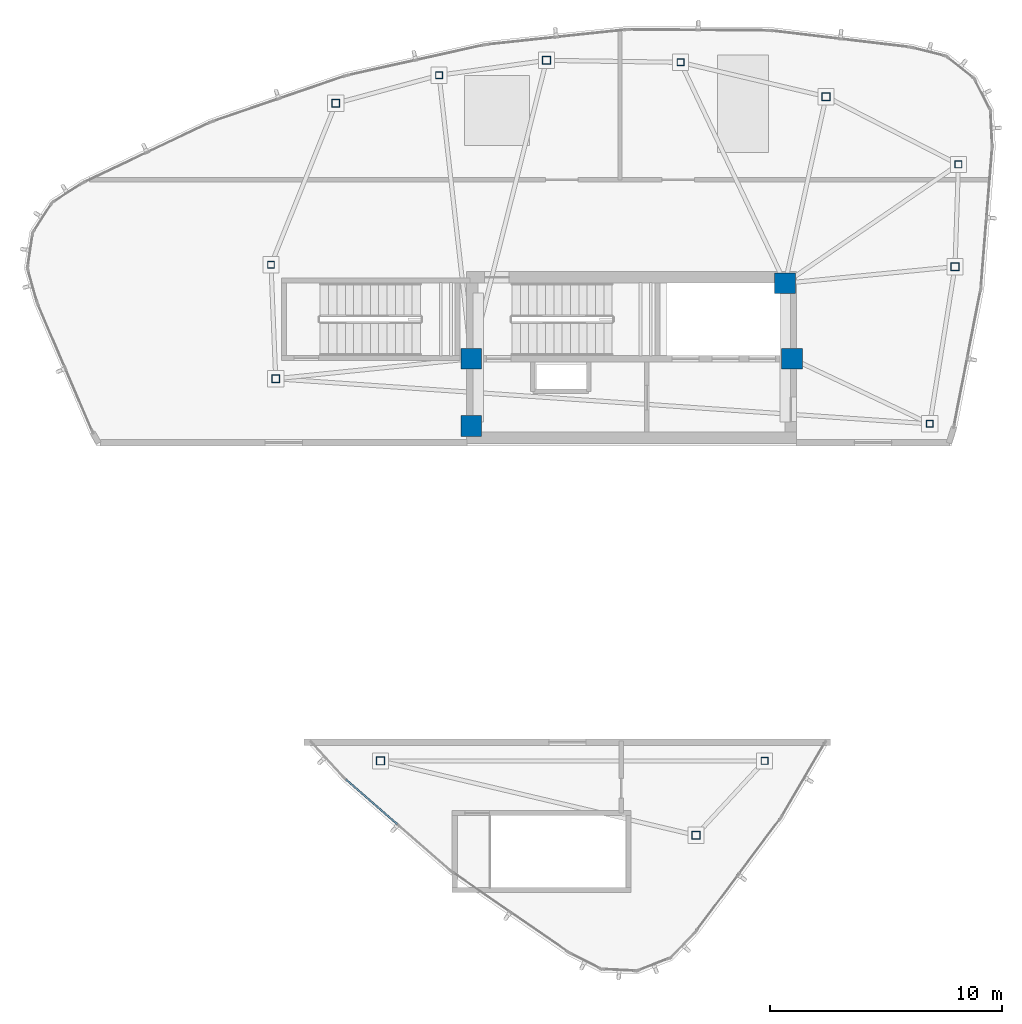
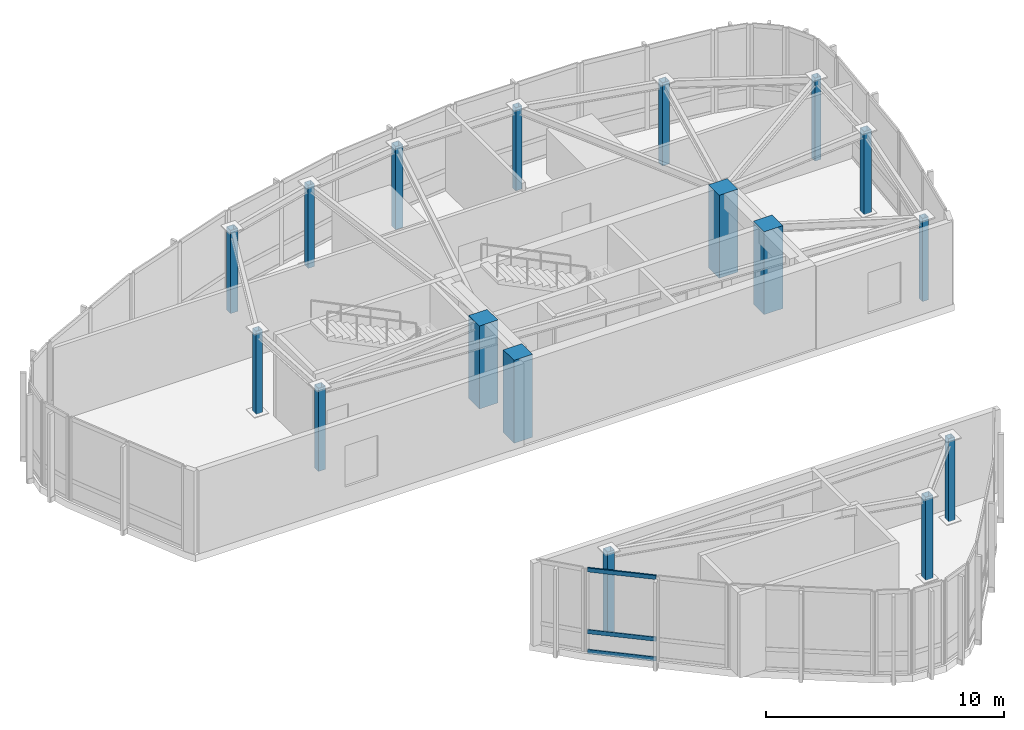
# One storey, part 1 of 15: 17 columns, 3 members, 1 element without a shape of its own.
"""IFC4 building model written with IfcOpenShell, lengths in metres."""

from ifc_helpers import new_model, si_unit, direction, frame, origin, origin_2d, place, context, subcontext, project, spatial, rectangle, hollow_rectangle, extrude, source, transform, mapped, material, layer, layer_set, material_profile, profile_set, type_object, type_shapes, element, aggregate, save


model = new_model("IFC4")

# Units and contexts
model_context = context("Model", 3, precision=1e-05, world=origin(), true_north=direction((0.0, 1.0)))
body_context = subcontext(model_context, "Body", "Model", "MODEL_VIEW")
ifc_project = project(units=[si_unit("LENGTHUNIT", "METRE"), si_unit("AREAUNIT", "SQUARE_METRE"), si_unit("VOLUMEUNIT", "CUBIC_METRE"), si_unit("PLANEANGLEUNIT", "RADIAN"), si_unit("MASSUNIT", "GRAM", prefix="KILO")], contexts=[model_context])

# Site, building, storey
site_placement = place(None, origin())
site = spatial("IfcSite", under=ifc_project, at=site_placement, CompositionType="ELEMENT")
building_placement = place(site_placement, origin())
building = spatial("IfcBuilding", under=site, at=building_placement, Name="Tavelor Broadcast Tower", CompositionType="ELEMENT")
storey_placement = place(building_placement, frame((0.0, 0.0, 341.300048828125)))
storey = spatial("IfcBuildingStorey", under=building, at=storey_placement, Name="L81", CompositionType="ELEMENT", Elevation=341.300048828125)

# Columns
ifc_material_1 = material(Name="Concrete C50/60", Category="concrete")
ifc_material_profile_1 = material_profile(ifc_material_1, rectangle(XDim=0.89990234375, YDim=0.89990234375, at=origin_2d()), Name="RC 900x900")
ifc_profile_set_1 = profile_set([ifc_material_profile_1], Name="Concrete C50/60")
column_type_1 = type_object("IfcColumnType", Name="Core Embedded Composite Column RC900", PredefinedType="COLUMN", material=ifc_profile_set_1)
for number, where, z_axis, x_axis, name in (
    (1, (43.10009765625, 47.949951171875, 0.0), (0.0, 0.0, 1.0), (1.0, 0.0, 0.0), "L81 Core Embedded Column 1"),
    (2, (56.89990234375, 47.949951171875, 0.0), (0.0, 0.0, 1.0), (1.0, 0.0, 0.0), "L81 Core Embedded Column 2"),
    (3, (56.60009765625, 51.199951171875, 0.0), (0.0, 0.0, 1.0), (1.0, 0.0, 0.0), "L81 Core Embedded Column 3"),
    (4, (43.10009765625, 45.050048828125, 0.0), (0.0, 0.0, 1.0), (1.0, 0.0, 0.0), "L81 Core Embedded Column 4"),
):
    element("IfcColumn", number, at=place(storey_placement, frame(where, z_axis=z_axis, x_axis=x_axis)), inside=storey, type_object=column_type_1, Name=name, PredefinedType="COLUMN", context=body_context, shape_type="SweptSolid", body=[
        extrude(rectangle(XDim=0.89990234375, YDim=0.89990234375, at=origin_2d()), origin(), (0.0, 0.0, 1.0), 4.25),
    ])
ifc_material_2 = material(Name="Steel S355", Category="steel")
ifc_material_profile_2 = material_profile(ifc_material_2, hollow_rectangle(XDim=0.35009765625, YDim=0.35009765625, WallThickness=0.02001953125, at=origin_2d()), Name="SHS 350x350x20")
ifc_profile_set_2 = profile_set([ifc_material_profile_2], Name="Steel S355")
column_type_2 = type_object("IfcColumnType", Name="Crown Frame Column SHS350", PredefinedType="COLUMN", material=ifc_profile_set_2)
for number, where, z_axis, x_axis, name in (
    (5, (37.27294921875, 58.9375, 0.0), (0.0, 0.0, 1.0), (1.0, 0.0, 0.0), "L81 Crown Peak A Frame Column 1"),
    (6, (34.690673828125, 47.090087890625, 0.0), (0.0, 0.0, 1.0), (1.0, 0.0, 0.0), "L81 Crown Peak A Frame Column 3"),
    (7, (63.910888671875, 51.91064453125, 0.0), (0.0, 0.0, 1.0), (1.0, 0.0, 0.0), "L81 Crown Peak A Frame Column 5"),
    (8, (58.364013671875, 59.226318359375, 0.0), (0.0, 0.0, 1.0), (1.0, 0.0, 0.0), "L81 Crown Peak A Frame Column 7"),
    (9, (46.337158203125, 60.786865234375, 0.0), (0.0, 0.0, 1.0), (1.0, 0.0, 0.0), "L81 Crown Peak A Frame Column 9"),
    (10, (52.76708984375, 27.447998046875, 0.0), (0.0, 0.0, 1.0), (1.0, 0.0, 0.0), "L81 Crown Peak B Frame Column 1"),
    (11, (39.197509765625, 30.64990234375, 0.0), (0.0, 0.0, 1.0), (1.0, 0.0, 0.0), "L81 Crown Peak B Frame Column 3"),
):
    element("IfcColumn", number, at=place(storey_placement, frame(where, z_axis=z_axis, x_axis=x_axis)), inside=storey, type_object=column_type_2, Name=name, PredefinedType="COLUMN", context=body_context, shape_type="SweptSolid", body=[
        extrude(hollow_rectangle(XDim=0.35009765625, YDim=0.35009765625, WallThickness=0.02001953125, at=origin_2d()), origin(), (0.0, 0.0, 1.0), 4.25),
    ])
ifc_material_profile_3 = material_profile(ifc_material_2, hollow_rectangle(XDim=0.300048828125, YDim=0.300048828125, WallThickness=0.01611328125, at=origin_2d()), Name="SHS 300x300x16")
ifc_profile_set_3 = profile_set([ifc_material_profile_3], Name="Steel S355")
column_type_3 = type_object("IfcColumnType", Name="Crown Secondary Post SHS300", PredefinedType="COLUMN", material=ifc_profile_set_3)
for number, where, z_axis, x_axis, name in (
    (12, (34.4853515625, 51.989013671875, 0.0), (0.0, 0.0, 1.0), (1.0, 0.0, 0.0), "L81 Crown Peak A Frame Column 2"),
    (13, (62.826416015625, 45.14990234375, 0.0), (0.0, 0.0, 1.0), (1.0, 0.0, 0.0), "L81 Crown Peak A Frame Column 4"),
    (14, (64.058349609375, 56.30859375, 0.0), (0.0, 0.0, 1.0), (1.0, 0.0, 0.0), "L81 Crown Peak A Frame Column 6"),
    (15, (52.10400390625, 60.701416015625, 0.0), (0.0, 0.0, 1.0), (1.0, 0.0, 0.0), "L81 Crown Peak A Frame Column 8"),
    (16, (41.715087890625, 60.145751953125, 0.0), (0.0, 0.0, 1.0), (1.0, 0.0, 0.0), "L81 Crown Peak A Frame Column 10"),
    (17, (55.718505859375, 30.64990234375, 0.0), (0.0, 0.0, 1.0), (1.0, 0.0, 0.0), "L81 Crown Peak B Frame Column 2"),
):
    element("IfcColumn", number, at=place(storey_placement, frame(where, z_axis=z_axis, x_axis=x_axis)), inside=storey, type_object=column_type_3, Name=name, PredefinedType="COLUMN", context=body_context, shape_type="SweptSolid", body=[
        extrude(hollow_rectangle(XDim=0.300048828125, YDim=0.300048828125, WallThickness=0.01611328125, at=origin_2d()), origin(), (0.0, 0.0, 1.0), 4.25),
    ])

# Curtain wall, members
ifc_material_3 = material(Name="Architectural Anodized Aluminium", Category="aluminium")
ifc_layer = layer(ifc_material_3, 0.2099609375)
ifc_layer_set = layer_set([ifc_layer], Name="Architectural Anodized Aluminium")
curtain_wall_type = type_object("IfcCurtainWallType", Name="Split-Crown Beacon Curtain Wall CW06", PredefinedType="NOTDEFINED", material=ifc_layer_set)
curtain_wall_placement = place(storey_placement, origin())
curtain_wall = element("IfcCurtainWall", 18, at=curtain_wall_placement, inside=storey, type_object=curtain_wall_type, Name="L81 Curtain Wall CW06 Run 947", PredefinedType="NOTDEFINED")
ifc_material_profile_4 = material_profile(ifc_material_3, hollow_rectangle(XDim=0.072021484375, YDim=0.2099609375, WallThickness=0.02197265625, at=origin_2d()), Name="RHS 72x210x22")
ifc_profile_set_4 = profile_set([ifc_material_profile_4], Name="Architectural Anodized Aluminium")
member_type = type_object("IfcMemberType", Name="CW06 Extruded Aluminium Transom 72x210", PredefinedType="USERDEFINED", material=ifc_profile_set_4)
shared_shape = source(origin(), body_context, "Body", "SweptSolid", [
    extrude(hollow_rectangle(XDim=0.072021484375, YDim=0.2099609375, WallThickness=0.02197265625, at=origin_2d()), origin(), (0.0, 0.0, 1.0), 2.942138671875),
])
type_shapes(member_type, [shared_shape])
member_1_placement = place(storey_placement, frame((37.7001953125, 29.859130859375, 0.035888671875), z_axis=(0.754137274357, -0.656716812199, 0.0), x_axis=(0.656716812199, 0.754137274357, 0.0)))
member_1 = element("IfcMember", 19, at=member_1_placement, type_object=member_type, Name="CW06 transom 1.1", ObjectType="TRANSOM", PredefinedType="USERDEFINED", context=body_context, shape_type="MappedRepresentation", body=[
    mapped(shared_shape, transform((0.0, 0.0, 0.0), scale=1.0)),
])
member_2_placement = place(storey_placement, frame((37.7001953125, 29.859130859375, 1.050048828125), z_axis=(0.754137274357, -0.656716812199, 0.0), x_axis=(0.656716812199, 0.754137274357, 0.0)))
member_2 = element("IfcMember", 20, at=member_2_placement, type_object=member_type, Name="CW06 transom 1.2", ObjectType="TRANSOM", PredefinedType="USERDEFINED", context=body_context, shape_type="MappedRepresentation", body=[
    mapped(shared_shape, transform((0.0, 0.0, 0.0), scale=1.0)),
])
member_3_placement = place(storey_placement, frame((37.7001953125, 29.859130859375, 4.2138671875), z_axis=(0.754137274357, -0.656716812199, 0.0), x_axis=(0.656716812199, 0.754137274357, 0.0)))
member_3 = element("IfcMember", 21, at=member_3_placement, type_object=member_type, Name="CW06 transom 1.3", ObjectType="TRANSOM", PredefinedType="USERDEFINED", context=body_context, shape_type="MappedRepresentation", body=[
    mapped(shared_shape, transform((0.0, 0.0, 0.0), scale=1.0)),
])
aggregate(curtain_wall, [member_1, member_2, member_3])

save(model, "model.ifc")
